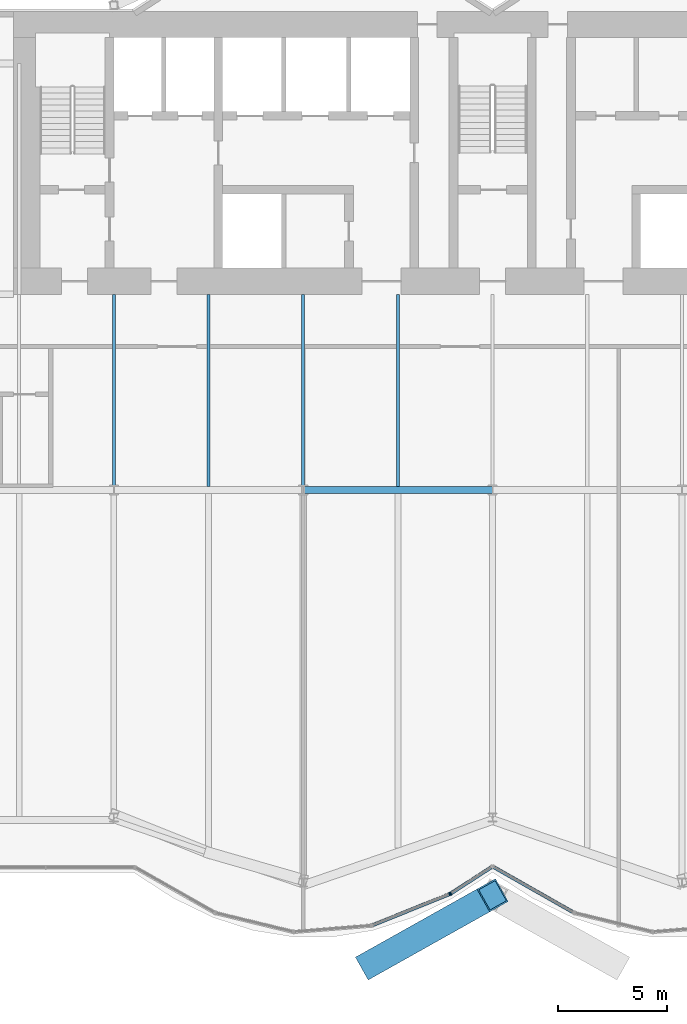
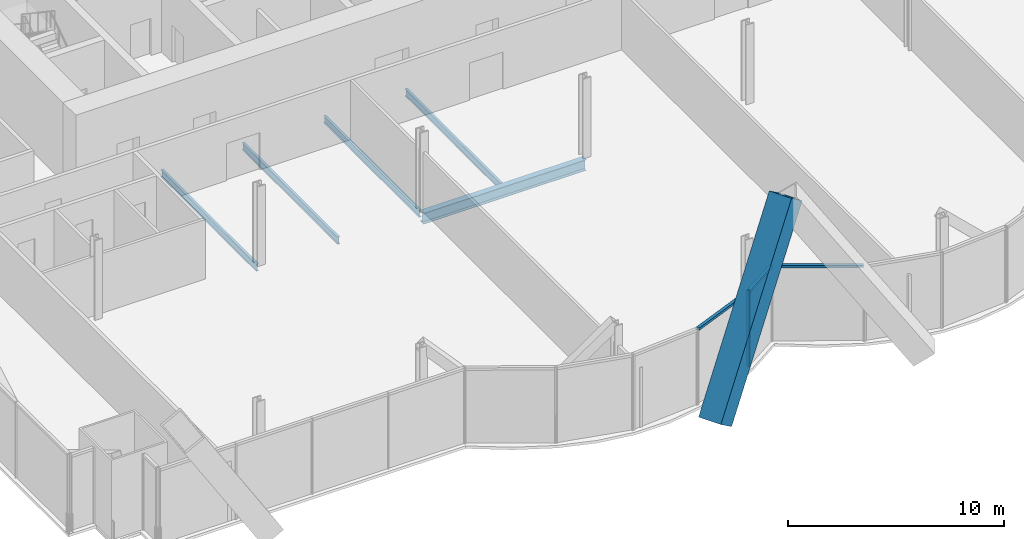
# One storey, part 7 of 21: 6 members, 5 beams, 2 elements without a shape of their own.
"""IFC4 building model written with IfcOpenShell, lengths in metres."""

from ifc_helpers import new_model, si_unit, direction, frame, origin, origin_2d, place, context, subcontext, project, spatial, rectangle, hollow_rectangle, i_section, extrude, material, material_profile, profile_set, type_object, element, aggregate, save


model = new_model("IFC4")

# Units and contexts
model_context = context("Model", 3, precision=1e-05, world=origin(), true_north=direction((0.0, 1.0)))
body_context = subcontext(model_context, "Body", "Model", "MODEL_VIEW")
ifc_project = project(units=[si_unit("LENGTHUNIT", "METRE"), si_unit("AREAUNIT", "SQUARE_METRE"), si_unit("VOLUMEUNIT", "CUBIC_METRE"), si_unit("PLANEANGLEUNIT", "RADIAN"), si_unit("MASSUNIT", "GRAM", prefix="KILO")], contexts=[model_context])

# Site, building, storey
site_placement = place(None, origin())
site = spatial("IfcSite", under=ifc_project, at=site_placement, CompositionType="ELEMENT")
building_placement = place(site_placement, origin())
building = spatial("IfcBuilding", under=site, at=building_placement, Name="Bicima Exchange Tower", CompositionType="ELEMENT")
storey_placement = place(building_placement, frame((0.0, 0.0, 80.0)))
storey = spatial("IfcBuildingStorey", under=building, at=storey_placement, Name="L16", CompositionType="ELEMENT", Elevation=80.0)

# Member
ifc_material_1 = material(Name="Steel ASTM A572 Gr 50", Category="steel")
ifc_material_profile_1 = material_profile(ifc_material_1, hollow_rectangle(XDim=1.199951171875, YDim=1.199951171875, WallThickness=0.070068359375, at=origin_2d()))
ifc_profile_set_1 = profile_set([ifc_material_profile_1], Name="Steel ASTM A572 Gr 50")
member_type_1 = type_object("IfcMemberType", Name="Exo mega brace BOX 1200x1200x70", PredefinedType="BRACE", material=ifc_profile_set_1)
member_1_placement = place(storey_placement, frame((-5.583251953125, -43.742431640625, 0.074951171875), z_axis=(0.508359163803, 0.28495588442, 0.812632207405), x_axis=(-0.488962230105, 0.872304956727, 0.0)))
element("IfcMember", 1, at=member_1_placement, inside=storey, type_object=member_type_1, Name="Exo mega brace front", PredefinedType="BRACE", context=body_context, shape_type="SweptSolid", body=[
    extrude(hollow_rectangle(XDim=1.199951171875, YDim=1.199951171875, WallThickness=0.070068359375, at=origin_2d()), origin(), (0.0, 0.0, 1.0), 10.98291015625),
])

# Beams
ifc_material_2 = material(Name="Steel ASTM A992 Gr 50", Category="steel")
ifc_material_profile_2 = material_profile(ifc_material_2, i_section(OverallWidth=0.140380859375, OverallDepth=0.40380859375, WebThickness=0.007080078125, FlangeThickness=0.01123046875, at=origin_2d()))
ifc_profile_set_2 = profile_set([ifc_material_profile_2], Name="Steel ASTM A992 Gr 50")
beam_type_1 = type_object("IfcBeamType", Name="Floor beam W16x31", PredefinedType="JOIST", material=ifc_profile_set_2)
for number, where, z_axis, x_axis, name in (
    (2, (-17.39990234375, -13.0, -0.351806640625), (0.0, -1.0, 0.0), (1.0, 0.0, 0.0), "Floor beam"),
    (3, (-13.050048828125, -13.0, -0.351806640625), (0.0, -1.0, 0.0), (1.0, 0.0, 0.0), "Floor beam"),
    (4, (-8.699951171875, -13.0, -0.351806640625), (0.0, -1.0, 0.0), (1.0, 0.0, 0.0), "Floor beam"),
    (5, (-4.35009765625, -13.0, -0.351806640625), (0.0, -1.0, 0.0), (1.0, 0.0, 0.0), "Floor beam"),
):
    element("IfcBeam", number, at=place(storey_placement, frame(where, z_axis=z_axis, x_axis=x_axis)), inside=storey, type_object=beam_type_1, Name=name, PredefinedType="JOIST", context=body_context, shape_type="SweptSolid", body=[
        extrude(i_section(OverallWidth=0.140380859375, OverallDepth=0.40380859375, WebThickness=0.007080078125, FlangeThickness=0.01123046875, at=origin_2d()), origin(), (0.0, 0.0, 1.0), 8.83740234375),
    ])

# Curtain wall, members
ifc_material_3 = material(Name="Anodised bronze aluminium", Category="aluminium")
curtain_wall_type = type_object("IfcCurtainWallType", Name="Front glass wall", PredefinedType="NOTDEFINED", material=ifc_material_3)
curtain_wall_1_placement = place(storey_placement, origin())
curtain_wall_1 = element("IfcCurtainWall", 6, at=curtain_wall_1_placement, inside=storey, type_object=curtain_wall_type, Name="Front glass wall L16 run 6", PredefinedType="NOTDEFINED")
ifc_material_profile_3 = material_profile(ifc_material_3, rectangle(XDim=0.159912109375, YDim=0.06005859375, at=origin_2d()))
ifc_profile_set_3 = profile_set([ifc_material_profile_3], Name="Anodised bronze aluminium")
member_type_2 = type_object("IfcMemberType", Name="Front glass wall mullion 60 x 160", PredefinedType="MULLION", material=ifc_profile_set_3)
member_2_placement = place(storey_placement, frame((-1.97412109375, -40.5556640625, 0.0), z_axis=(0.0, 0.0, 1.0), x_axis=(-0.374705304, 0.92714396679, 0.0)))
member_2 = element("IfcMember", 7, at=member_2_placement, type_object=member_type_2, Name="Front glass wall mullion 2", PredefinedType="MULLION", context=body_context, shape_type="SweptSolid", body=[
    extrude(rectangle(XDim=0.159912109375, YDim=0.06005859375, at=origin_2d()), origin(), (0.0, 0.0, 1.0), 4.300048828125),
])
member_3_placement = place(storey_placement, frame((-1.921142578125, -40.528076171875, 0.0), z_axis=(0.0, 0.0, 1.0), x_axis=(-0.542897457326, 0.839798994301, 0.0)))
member_3 = element("IfcMember", 8, at=member_3_placement, type_object=member_type_2, Name="Front glass wall mullion 1", PredefinedType="MULLION", context=body_context, shape_type="SweptSolid", body=[
    extrude(rectangle(XDim=0.159912109375, YDim=0.06005859375, at=origin_2d()), origin(), (0.0, 0.0, 1.0), 4.300048828125),
])
ifc_material_profile_4 = material_profile(ifc_material_3, rectangle(XDim=0.159912109375, YDim=0.139892578125, at=origin_2d()))
ifc_profile_set_4 = profile_set([ifc_material_profile_4], Name="Anodised bronze aluminium")
member_type_3 = type_object("IfcMemberType", Name="Front glass wall transom 140 x 160", PredefinedType="USERDEFINED", material=ifc_profile_set_4)
member_4_placement = place(storey_placement, frame((-5.498291015625, -41.97998046875, 4.22998046875), z_axis=(0.927140215882, 0.374714584842, 0.0), x_axis=(-0.374714584842, 0.927140215882, 0.0)))
member_4 = element("IfcMember", 9, at=member_4_placement, type_object=member_type_3, Name="Front glass wall transom 1.1", ObjectType="TRANSOM", PredefinedType="USERDEFINED", context=body_context, shape_type="SweptSolid", body=[
    extrude(rectangle(XDim=0.159912109375, YDim=0.139892578125, at=origin_2d()), origin(), (0.0, 0.0, 1.0), 3.77099609375),
])
member_5_placement = place(storey_placement, frame((-1.89599609375, -40.51171875, 4.22998046875), z_axis=(0.839811483481, 0.542878137536, 0.0), x_axis=(-0.542878137536, 0.839811483481, 0.0)))
member_5 = element("IfcMember", 10, at=member_5_placement, type_object=member_type_3, Name="Front glass wall transom 1.1", ObjectType="TRANSOM", PredefinedType="USERDEFINED", context=body_context, shape_type="SweptSolid", body=[
    extrude(rectangle(XDim=0.159912109375, YDim=0.139892578125, at=origin_2d()), origin(), (0.0, 0.0, 1.0), 2.19775390625),
])
aggregate(curtain_wall_1, [member_2, member_4, member_3, member_5])

# Curtain wall, member
curtain_wall_2_placement = place(storey_placement, origin())
curtain_wall_2 = element("IfcCurtainWall", 11, at=curtain_wall_2_placement, inside=storey, type_object=curtain_wall_type, Name="Front glass wall L16 run 11", PredefinedType="NOTDEFINED")
member_6_placement = place(storey_placement, frame((0.05224609375, -39.31591796875, 4.22998046875), z_axis=(0.869290118928, -0.494302224488, 0.0), x_axis=(0.494302224488, 0.869290118928, 0.0)))
member_6 = element("IfcMember", 12, at=member_6_placement, type_object=member_type_3, Name="Front glass wall transom 1.1", ObjectType="TRANSOM", PredefinedType="USERDEFINED", context=body_context, shape_type="SweptSolid", body=[
    extrude(rectangle(XDim=0.159912109375, YDim=0.139892578125, at=origin_2d()), origin(), (0.0, 0.0, 1.0), 4.19677734375),
])
aggregate(curtain_wall_2, [member_6])

# Beam
ifc_material_profile_5 = material_profile(ifc_material_2, i_section(OverallWidth=0.3251953125, OverallDepth=0.612060546875, WebThickness=0.0126953125, FlangeThickness=0.01904296875, at=origin_2d()))
ifc_profile_set_5 = profile_set([ifc_material_profile_5], Name="Steel ASTM A992 Gr 50")
beam_type_2 = type_object("IfcBeamType", Name="Row girder W24x104", PredefinedType="BEAM", material=ifc_profile_set_5)
beam_placement = place(storey_placement, frame((-8.699951171875, -22.0, -0.4560546875), z_axis=(1.0, 0.0, 0.0), x_axis=(0.0, 1.0, 0.0)))
element("IfcBeam", 13, at=beam_placement, inside=storey, type_object=beam_type_2, Name="Row girder", PredefinedType="BEAM", context=body_context, shape_type="SweptSolid", body=[
    extrude(i_section(OverallWidth=0.3251953125, OverallDepth=0.612060546875, WebThickness=0.0126953125, FlangeThickness=0.01904296875, at=origin_2d()), origin(), (0.0, 0.0, 1.0), 8.699951171875),
])

save(model, "model.ifc")
